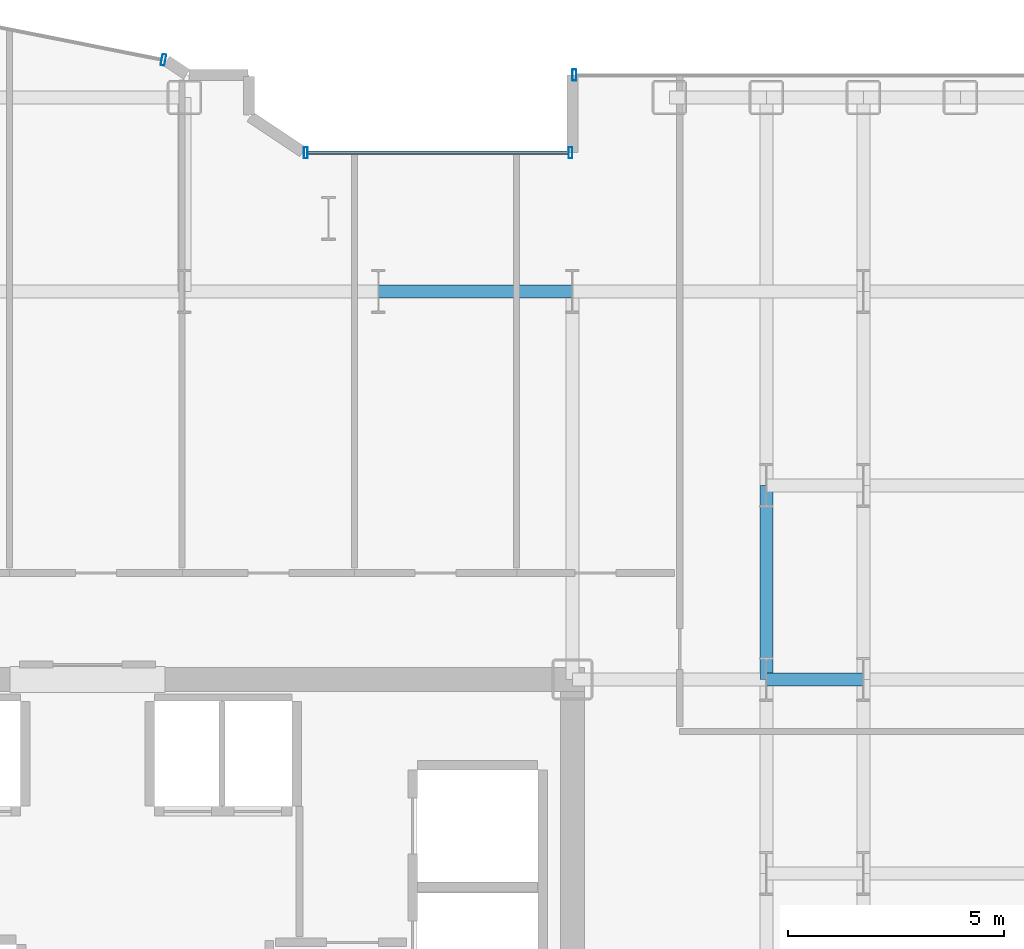
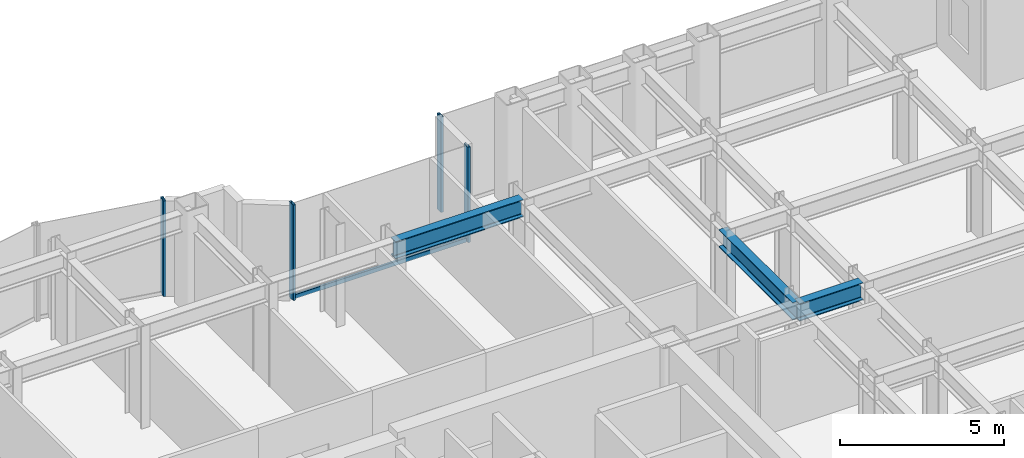
# One storey, part 12 of 26: 5 members, 3 beams, 3 elements without a shape of their own.
"""IFC4 building model written with IfcOpenShell, lengths in metres."""

from ifc_helpers import new_model, si_unit, direction, frame, origin, origin_2d, place, context, subcontext, project, spatial, hollow_rectangle, i_section, extrude, source, transform, mapped, material, layer, layer_set, material_profile, profile_set, type_object, element, aggregate, save


model = new_model("IFC4")

# Units and contexts
model_context = context("Model", 3, precision=1e-05, world=origin(), true_north=direction((0.0, 1.0)))
body_context = subcontext(model_context, "Body", "Model", "MODEL_VIEW")
ifc_project = project(units=[si_unit("LENGTHUNIT", "METRE"), si_unit("AREAUNIT", "SQUARE_METRE"), si_unit("VOLUMEUNIT", "CUBIC_METRE"), si_unit("PLANEANGLEUNIT", "RADIAN"), si_unit("MASSUNIT", "GRAM", prefix="KILO")], contexts=[model_context])

# Site, building, storey
site_placement = place(None, origin())
site = spatial("IfcSite", under=ifc_project, at=site_placement, CompositionType="ELEMENT")
building_placement = place(site_placement, origin())
building = spatial("IfcBuilding", under=site, at=building_placement, Name="Nefas-Gora Pilgrimage Tower", CompositionType="ELEMENT")
storey_placement = place(building_placement, frame((0.0, 0.0, 121.199951171875)))
storey = spatial("IfcBuildingStorey", under=building, at=storey_placement, Name="L29", CompositionType="ELEMENT", Elevation=121.199951171875)

# Beams
ifc_material_1 = material(Name="Steel S355", Category="steel")
ifc_material_profile_1 = material_profile(ifc_material_1, i_section(OverallWidth=0.300048828125, OverallDepth=0.64990234375, WebThickness=0.01611328125, FlangeThickness=0.031005859375, FilletRadius=0.027099609375, at=origin_2d()), Name="HEB 650")
ifc_profile_set_1 = profile_set([ifc_material_profile_1], Name="Steel S355")
beam_type = type_object("IfcBeamType", Name="BM-GIR-HEB650", PredefinedType="BEAM", material=ifc_profile_set_1)
shared_shape_1 = source(origin(), body_context, "Body", "SweptSolid", [
    extrude(i_section(OverallWidth=0.300048828125, OverallDepth=0.64990234375, WebThickness=0.01611328125, FlangeThickness=0.031005859375, FilletRadius=0.027099609375, at=origin_2d()), origin(), (0.0, 0.0, 1.0), 4.5),
])
for number, where, z_axis, x_axis, name in (
    (1, (6.75, 18.0, 3.22509765625), (1.0, 0.0, 0.0), (0.0, 1.0, 0.0), "L29 G-03 beam"),
    (2, (15.75, 9.0, 3.22509765625), (0.0, 1.0, 0.0), (-1.0, 0.0, 0.0), "L29 G-03 beam"),
):
    element("IfcBeam", number, at=place(storey_placement, frame(where, z_axis=z_axis, x_axis=x_axis)), inside=storey, type_object=beam_type, Name=name, PredefinedType="BEAM", context=body_context, shape_type="MappedRepresentation", body=[
        mapped(shared_shape_1, transform((0.0, 0.0, 0.0), x_axis=(1.0, 0.0, 0.0), y_axis=(0.0, 1.0, 0.0), z_axis=(0.0, 0.0, 1.0), scale=1.0)),
    ])
shared_shape_2 = source(origin(), body_context, "Body", "SweptSolid", [
    extrude(i_section(OverallWidth=0.300048828125, OverallDepth=0.64990234375, WebThickness=0.01611328125, FlangeThickness=0.031005859375, FilletRadius=0.027099609375, at=origin_2d()), origin(), (0.0, 0.0, 1.0), 2.25),
])
beam_placement = place(storey_placement, frame((15.75, 9.0, 3.22509765625), z_axis=(1.0, 0.0, 0.0), x_axis=(0.0, 1.0, 0.0)))
element("IfcBeam", 3, at=beam_placement, inside=storey, type_object=beam_type, Name="L29 G-03 beam", PredefinedType="BEAM", context=body_context, shape_type="MappedRepresentation", body=[
    mapped(shared_shape_2, transform((0.0, 0.0, 0.0), x_axis=(1.0, 0.0, 0.0), y_axis=(0.0, 1.0, 0.0), z_axis=(0.0, 0.0, 1.0), scale=1.0)),
])

# Curtain wall, members
ifc_material_2 = material(Name="Dark ceramic-fritted solar-control aluminium-glass curtain wall", Category="aluminium")
ifc_layer_1 = layer(ifc_material_2, 0.219970703125)
ifc_layer_set_1 = layer_set([ifc_layer_1], Name="Dark ceramic-fritted solar-control aluminium-glass curtain wall")
curtain_wall_type_1 = type_object("IfcCurtainWallType", Name="CW-SYS-5", PredefinedType="NOTDEFINED", material=ifc_layer_set_1)
curtain_wall_1_placement = place(storey_placement, origin())
curtain_wall_1 = element("IfcCurtainWall", 4, at=curtain_wall_1_placement, inside=storey, type_object=curtain_wall_type_1, Name="L29 Unitised Curtain Wall CW5", PredefinedType="NOTDEFINED")
ifc_material_3 = material(Name="Anodised architectural aluminium", Category="aluminium")
ifc_material_profile_2 = material_profile(ifc_material_3, hollow_rectangle(XDim=0.090087890625, YDim=0.260009765625, WallThickness=0.006103515625, InnerFilletRadius=0.006103515625, OuterFilletRadius=0.011962890625, at=origin_2d()), Name="ALU MULLION 90x260")
ifc_profile_set_2 = profile_set([ifc_material_profile_2], Name="Anodised architectural aluminium")
member_type_1 = type_object("IfcMemberType", Name="CWM-MUL-5", PredefinedType="MULLION", material=ifc_profile_set_2)
shared_shape_3 = source(origin(), body_context, "Body", "SweptSolid", [
    extrude(hollow_rectangle(XDim=0.090087890625, YDim=0.260009765625, WallThickness=0.006103515625, InnerFilletRadius=0.006103515625, OuterFilletRadius=0.011962890625, at=origin_2d()), origin(), (0.0, 0.0, 1.0), 3.550048828125),
])
member_1_placement = place(storey_placement, frame((11.205078125, 21.219970703125, 0.0), z_axis=(0.0, 0.0, 1.0), x_axis=(-1.0, 0.0, 0.0)))
member_1 = element("IfcMember", 5, at=member_1_placement, type_object=member_type_1, Name="CW5 Mullion 1", PredefinedType="MULLION", context=body_context, shape_type="MappedRepresentation", body=[
    mapped(shared_shape_3, transform((0.0, 0.0, 0.0), x_axis=(1.0, 0.0, 0.0), y_axis=(0.0, 1.0, 0.0), z_axis=(0.0, 0.0, 1.0), scale=1.0)),
])
member_2_placement = place(storey_placement, frame((5.06298828125, 21.219970703125, 0.0), z_axis=(0.0, 0.0, 1.0), x_axis=(-1.0, 0.0, 0.0)))
member_2 = element("IfcMember", 6, at=member_2_placement, type_object=member_type_1, Name="CW5 Mullion 2", PredefinedType="MULLION", context=body_context, shape_type="MappedRepresentation", body=[
    mapped(shared_shape_3, transform((0.0, 0.0, 0.0), x_axis=(1.0, 0.0, 0.0), y_axis=(0.0, 1.0, 0.0), z_axis=(0.0, 0.0, 1.0), scale=1.0)),
])

# Curtain wall, member
curtain_wall_2_placement = place(storey_placement, origin())
curtain_wall_2 = element("IfcCurtainWall", 7, at=curtain_wall_2_placement, inside=storey, type_object=curtain_wall_type_1, Name="L29 Unitised Curtain Wall CW5", PredefinedType="NOTDEFINED")
member_3_placement = place(storey_placement, frame((1.76318359375, 23.3740234375, 0.0), z_axis=(0.0, 0.0, 1.0), x_axis=(-0.980782896852, 0.195102304554, 0.0)))
member_3 = element("IfcMember", 8, at=member_3_placement, type_object=member_type_1, Name="CW5 Mullion 1", PredefinedType="MULLION", context=body_context, shape_type="MappedRepresentation", body=[
    mapped(shared_shape_3, transform((0.0, 0.0, 0.0), x_axis=(1.0, 0.0, 0.0), y_axis=(0.0, 1.0, 0.0), z_axis=(0.0, 0.0, 1.0), scale=1.0)),
])
aggregate(curtain_wall_2, [member_3])

# Member
ifc_material_profile_3 = material_profile(ifc_material_3, hollow_rectangle(XDim=0.080078125, YDim=0.159912109375, WallThickness=0.00439453125, InnerFilletRadius=0.00439453125, OuterFilletRadius=0.009033203125, at=origin_2d()), Name="ALU TRANSOM 80x160")
ifc_profile_set_3 = profile_set([ifc_material_profile_3], Name="Anodised architectural aluminium")
member_type_2 = type_object("IfcMemberType", Name="CWM-TRN-5", PredefinedType="USERDEFINED", material=ifc_profile_set_3)
shared_shape_4 = source(origin(), body_context, "Body", "SweptSolid", [
    extrude(hollow_rectangle(XDim=0.080078125, YDim=0.159912109375, WallThickness=0.00439453125, InnerFilletRadius=0.00439453125, OuterFilletRadius=0.009033203125, at=origin_2d()), origin(), (0.0, 0.0, 1.0), 6.052001953125),
])
member_4_placement = place(storey_placement, frame((11.159912109375, 21.219970703125, 0.050048828125), z_axis=(-1.0, 0.0, 0.0), x_axis=(0.0, -1.0, 0.0)))
member_4 = element("IfcMember", 9, at=member_4_placement, type_object=member_type_2, Name="CW5 Spandrel Transom", ObjectType="TRANSOM", PredefinedType="USERDEFINED", context=body_context, shape_type="MappedRepresentation", body=[
    mapped(shared_shape_4, transform((0.0, 0.0, 0.0), x_axis=(1.0, 0.0, 0.0), y_axis=(0.0, 1.0, 0.0), z_axis=(0.0, 0.0, 1.0), scale=1.0)),
])

aggregate(curtain_wall_1, [member_1, member_2, member_4])

# Curtain wall, member
ifc_layer_2 = layer(ifc_material_2, 0.219970703125)
ifc_layer_set_2 = layer_set([ifc_layer_2], Name="Dark ceramic-fritted solar-control aluminium-glass curtain wall")
curtain_wall_type_2 = type_object("IfcCurtainWallType", Name="CW-SYS-2", PredefinedType="NOTDEFINED", material=ifc_layer_set_2)
curtain_wall_3_placement = place(storey_placement, origin())
curtain_wall_3 = element("IfcCurtainWall", 10, at=curtain_wall_3_placement, inside=storey, type_object=curtain_wall_type_2, Name="L29 Unitised Curtain Wall CW2", PredefinedType="NOTDEFINED")
ifc_material_profile_4 = material_profile(ifc_material_3, hollow_rectangle(XDim=0.090087890625, YDim=0.260009765625, WallThickness=0.006103515625, InnerFilletRadius=0.006103515625, OuterFilletRadius=0.011962890625, at=origin_2d()), Name="ALU MULLION 90x260")
ifc_profile_set_4 = profile_set([ifc_material_profile_4], Name="Anodised architectural aluminium")
member_type_3 = type_object("IfcMemberType", Name="CWM-MUL-2", PredefinedType="MULLION", material=ifc_profile_set_4)
shared_shape_5 = source(origin(), body_context, "Body", "SweptSolid", [
    extrude(hollow_rectangle(XDim=0.090087890625, YDim=0.260009765625, WallThickness=0.006103515625, InnerFilletRadius=0.006103515625, OuterFilletRadius=0.011962890625, at=origin_2d()), origin(), (0.0, 0.0, 1.0), 3.550048828125),
])
member_5_placement = place(storey_placement, frame((11.294921875, 23.02001953125, 0.0), z_axis=(0.0, 0.0, 1.0), x_axis=(-1.0, 0.0, 0.0)))
member_5 = element("IfcMember", 11, at=member_5_placement, type_object=member_type_3, Name="CW2 Mullion 2", PredefinedType="MULLION", context=body_context, shape_type="MappedRepresentation", body=[
    mapped(shared_shape_5, transform((0.0, 0.0, 0.0), x_axis=(1.0, 0.0, 0.0), y_axis=(0.0, 1.0, 0.0), z_axis=(0.0, 0.0, 1.0), scale=1.0)),
])
aggregate(curtain_wall_3, [member_5])

save(model, "model.ifc")
